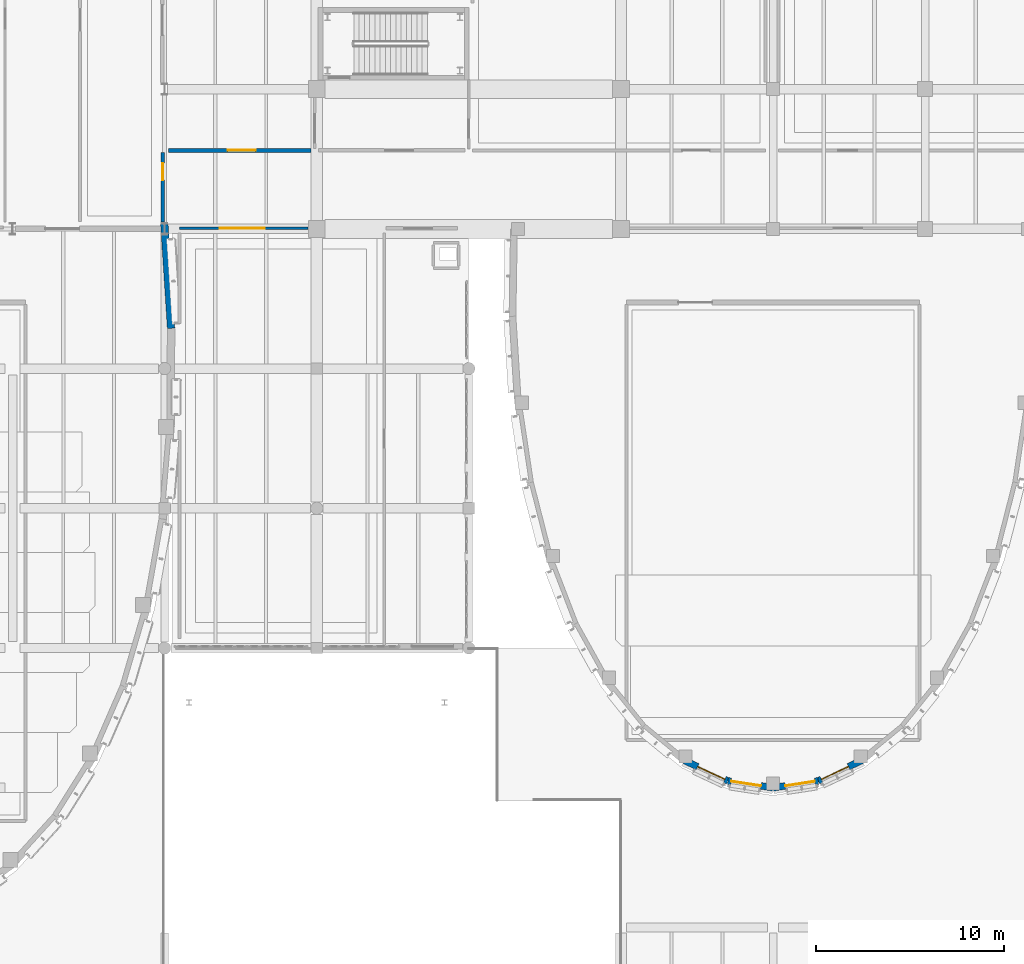
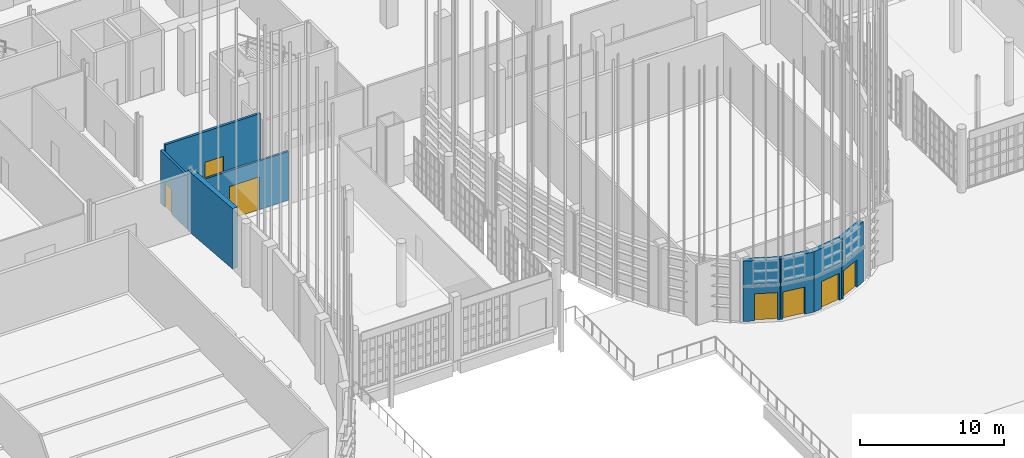
# One storey, part 349 of 372: 8 walls, 7 doors, 7 openings.
"""IFC4 building model written with IfcOpenShell, lengths in metres."""

from ifc_helpers import new_model, si_unit, direction, frame, frame_2d, origin, place, context, subcontext, project, spatial, rectangle, extrude, material, layer, layer_set, type_object, element, fill, save


model = new_model("IFC4")

# Units and contexts
model_context = context("Model", 3, precision=1e-05, world=origin(), true_north=direction((0.0, 1.0)))
body_context = subcontext(model_context, "Body", "Model", "MODEL_VIEW")
ifc_project = project(units=[si_unit("LENGTHUNIT", "METRE"), si_unit("AREAUNIT", "SQUARE_METRE"), si_unit("VOLUMEUNIT", "CUBIC_METRE"), si_unit("PLANEANGLEUNIT", "RADIAN"), si_unit("MASSUNIT", "GRAM", prefix="KILO")], contexts=[model_context])

# Site, building, storey
site_placement = place(None, origin())
site = spatial("IfcSite", under=ifc_project, at=site_placement, CompositionType="ELEMENT")
building_placement = place(site_placement, origin())
building = spatial("IfcBuilding", under=site, at=building_placement, Name="Kaelora Sail Theatre", CompositionType="ELEMENT")
storey_placement = place(building_placement, origin())
storey = spatial("IfcBuildingStorey", under=building, at=storey_placement, Name="L00", CompositionType="ELEMENT", Elevation=0.0)

# Wall, opening, door
ifc_material_1 = material(Name="Concrete C45/55", Category="concrete")
ifc_layer_1 = layer(ifc_material_1, 0.360107421875)
ifc_layer_set_1 = layer_set([ifc_layer_1], Name="Concrete C45/55")
wall_type_1 = type_object("IfcWallType", Name="ARC-WL-DW-360", PredefinedType="SHEAR", material=ifc_layer_set_1)
wall_1_placement = place(storey_placement, frame((95.334716796875, 32.716552734375, 0.0), z_axis=(0.0, 0.0, 1.0), x_axis=(-0.905675487445, -0.423971592728, 0.0)))
wall_1 = element("IfcWall", 1, at=wall_1_placement, inside=storey, type_object=wall_type_1, Name="Studio Theatre Sail Drum curved drum acoustic wall L00 chord 9", PredefinedType="SHEAR", context=body_context, shape_type="SweptSolid", body=[
    extrude(rectangle(XDim=2.571044921875, YDim=0.360107421875, at=frame_2d((1.28564453125, 0.0))), origin(), (0.0, 0.0, 1.0), 5.10498046875),
])
opening_1_placement = place(wall_1_placement, frame((0.791015625, 0.0, 0.0)))
opening_1 = element("IfcOpeningElement", 2, at=opening_1_placement, cuts=wall_1, Name="Opening ED-05", PredefinedType="OPENING", context=body_context, shape_type="SweptSolid", body=[
    extrude(rectangle(XDim=1.60009765625, YDim=2.300048828125, at=frame_2d((0.800048828125, 1.14990234375))), frame((0.0, 0.190176, 0.0), z_axis=(0.0, -1.0, 0.0), x_axis=(1.0, 0.0, 0.0)), (0.0, 0.0, 1.0), 0.380107),
])
ifc_material_2 = material(Name="Terrace glazed double swing door", Category="aluminium")
door_type_1 = type_object("IfcDoorType", Name="ARC-DR-ED-05", OperationType="NOTDEFINED", PredefinedType="DOOR", material=ifc_material_2)
door_1_placement = place(opening_1_placement, origin())
door_1 = element("IfcDoor", 3, at=door_1_placement, inside=storey, type_object=door_type_1, Name="Studio Theatre Sail Drum plaza final exit door C9", OperationType="DOUBLE_DOOR_SINGLE_SWING", OverallHeight=2.300048828125, OverallWidth=1.60009765625, PredefinedType="DOOR", context=body_context, shape_type="SweptSolid", body=[
    extrude(rectangle(XDim=1.60009765625, YDim=2.300048828125, at=frame_2d((0.800048828125, 1.14990234375))), frame((0.0, 0.02490234375, 0.0), z_axis=(0.0, -1.0, 0.0), x_axis=(1.0, 0.0, 0.0)), (0.0, 0.0, 1.0), 0.050048828125),
])
fill(opening_1, door_1)

wall_2_placement = place(storey_placement, frame((93.006103515625, 31.62646484375, 0.0), z_axis=(0.0, 0.0, 1.0), x_axis=(-0.988599043905, -0.150572010645, 0.0)))
wall_2 = element("IfcWall", 4, at=wall_2_placement, inside=storey, type_object=wall_type_1, Name="Studio Theatre Sail Drum curved drum acoustic wall L00 chord 10", PredefinedType="SHEAR", context=body_context, shape_type="SweptSolid", body=[
    extrude(rectangle(XDim=2.433837890625, YDim=0.360107421875, at=frame_2d((1.216796875, 0.0))), origin(), (0.0, 0.0, 1.0), 5.10498046875),
])
opening_2_placement = place(wall_2_placement, frame((0.179931640625, 0.0, 0.0)))
opening_2 = element("IfcOpeningElement", 5, at=opening_2_placement, cuts=wall_2, Name="Opening ED-05", PredefinedType="OPENING", context=body_context, shape_type="SweptSolid", body=[
    extrude(rectangle(XDim=1.60009765625, YDim=2.300048828125, at=frame_2d((0.800048828125, 1.14990234375))), frame((0.0, 0.190176, 0.0), z_axis=(0.0, -1.0, 0.0), x_axis=(1.0, 0.0, 0.0)), (0.0, 0.0, 1.0), 0.380107),
])
door_2_placement = place(opening_2_placement, origin())
door_2 = element("IfcDoor", 6, at=door_2_placement, inside=storey, type_object=door_type_1, Name="Studio Theatre Sail Drum plaza final exit door C10", OperationType="DOUBLE_DOOR_SINGLE_SWING", OverallHeight=2.300048828125, OverallWidth=1.60009765625, PredefinedType="DOOR", context=body_context, shape_type="SweptSolid", body=[
    extrude(rectangle(XDim=1.60009765625, YDim=2.300048828125, at=frame_2d((0.800048828125, 1.14990234375))), frame((0.0, 0.02490234375, 0.0), z_axis=(0.0, -1.0, 0.0), x_axis=(1.0, 0.0, 0.0)), (0.0, 0.0, 1.0), 0.050048828125),
])
fill(opening_2, door_2)

wall_3_placement = place(storey_placement, frame((90.60009765625, 31.260009765625, 0.0), z_axis=(0.0, 0.0, 1.0), x_axis=(-0.988599043905, 0.150572010645, 0.0)))
wall_3 = element("IfcWall", 7, at=wall_3_placement, inside=storey, type_object=wall_type_1, Name="Studio Theatre Sail Drum curved drum acoustic wall L00 chord 11", PredefinedType="SHEAR", context=body_context, shape_type="SweptSolid", body=[
    extrude(rectangle(XDim=2.433837890625, YDim=0.360107421875, at=frame_2d((1.216796875, 0.0))), origin(), (0.0, 0.0, 1.0), 5.10498046875),
])
opening_3_placement = place(wall_3_placement, frame((0.654052734375, 0.0, 0.0)))
opening_3 = element("IfcOpeningElement", 8, at=opening_3_placement, cuts=wall_3, Name="Opening ED-05", PredefinedType="OPENING", context=body_context, shape_type="SweptSolid", body=[
    extrude(rectangle(XDim=1.60009765625, YDim=2.300048828125, at=frame_2d((0.800048828125, 1.14990234375))), frame((0.0, 0.190176, 0.0), z_axis=(0.0, -1.0, 0.0), x_axis=(1.0, 0.0, 0.0)), (0.0, 0.0, 1.0), 0.380107),
])
door_3_placement = place(opening_3_placement, origin())
door_3 = element("IfcDoor", 9, at=door_3_placement, inside=storey, type_object=door_type_1, Name="Studio Theatre Sail Drum plaza final exit door C11", OperationType="DOUBLE_DOOR_SINGLE_SWING", OverallHeight=2.300048828125, OverallWidth=1.60009765625, PredefinedType="DOOR", context=body_context, shape_type="SweptSolid", body=[
    extrude(rectangle(XDim=1.60009765625, YDim=2.300048828125, at=frame_2d((0.800048828125, 1.14990234375))), frame((0.0, 0.02490234375, 0.0), z_axis=(0.0, -1.0, 0.0), x_axis=(1.0, 0.0, 0.0)), (0.0, 0.0, 1.0), 0.050048828125),
])
fill(opening_3, door_3)

wall_4_placement = place(storey_placement, frame((88.194091796875, 31.62646484375, 0.0), z_axis=(0.0, 0.0, 1.0), x_axis=(-0.905692553487, 0.423935134848, 0.0)))
wall_4 = element("IfcWall", 10, at=wall_4_placement, inside=storey, type_object=wall_type_1, Name="Studio Theatre Sail Drum curved drum acoustic wall L00 chord 12", PredefinedType="SHEAR", context=body_context, shape_type="SweptSolid", body=[
    extrude(rectangle(XDim=2.5712890625, YDim=0.360107421875, at=frame_2d((1.28564453125, 0.0))), origin(), (0.0, 0.0, 1.0), 5.10498046875),
])
opening_4_placement = place(wall_4_placement, frame((0.179931640625, 0.0, 0.0)))
opening_4 = element("IfcOpeningElement", 11, at=opening_4_placement, cuts=wall_4, Name="Opening ED-05", PredefinedType="OPENING", context=body_context, shape_type="SweptSolid", body=[
    extrude(rectangle(XDim=1.60009765625, YDim=2.300048828125, at=frame_2d((0.800048828125, 1.14990234375))), frame((0.0, 0.190176, 0.0), z_axis=(0.0, -1.0, 0.0), x_axis=(1.0, 0.0, 0.0)), (0.0, 0.0, 1.0), 0.380107),
])
door_4_placement = place(opening_4_placement, origin())
door_4 = element("IfcDoor", 12, at=door_4_placement, inside=storey, type_object=door_type_1, Name="Studio Theatre Sail Drum plaza final exit door C12", OperationType="DOUBLE_DOOR_SINGLE_SWING", OverallHeight=2.300048828125, OverallWidth=1.60009765625, PredefinedType="DOOR", context=body_context, shape_type="SweptSolid", body=[
    extrude(rectangle(XDim=1.60009765625, YDim=2.300048828125, at=frame_2d((0.800048828125, 1.14990234375))), frame((0.0, 0.02490234375, 0.0), z_axis=(0.0, -1.0, 0.0), x_axis=(1.0, 0.0, 0.0)), (0.0, 0.0, 1.0), 0.050048828125),
])
fill(opening_4, door_4)

# Wall
ifc_material_3 = material(Name="Concrete C50/60", Category="concrete")
ifc_layer_2 = layer(ifc_material_3, 0.39990234375)
ifc_layer_set_2 = layer_set([ifc_layer_2], Name="Concrete C50/60")
wall_type_2 = type_object("IfcWallType", Name="ARC-WL-DW-400", PredefinedType="SHEAR", material=ifc_layer_set_2)
wall_5_placement = place(storey_placement, frame((58.181884765625, 61.29931640625, 0.0), z_axis=(0.0, 0.0, 1.0), x_axis=(0.064519893008, -0.997916421053, 0.0)))
element("IfcWall", 13, at=wall_5_placement, inside=storey, type_object=wall_type_2, Name="Main Theatre Sail Drum curved drum acoustic wall L00 chord 1", PredefinedType="SHEAR", context=body_context, shape_type="SweptSolid", body=[
    extrude(rectangle(XDim=5.585205078125, YDim=0.39990234375, at=frame_2d((2.79248046875, 0.0))), origin(), (0.0, 0.0, 1.0), 5.10498046875),
])

# Wall, opening, door
ifc_material_4 = material(Name="Demountable acoustic studio wall 150 mm", Category="timber")
ifc_layer_3 = layer(ifc_material_4, 0.14990234375)
ifc_layer_set_3 = layer_set([ifc_layer_3], Name="Demountable acoustic studio wall 150 mm")
wall_type_3 = type_object("IfcWallType", Name="ARC-WL-MV-150", PredefinedType="MOVABLE", material=ifc_layer_set_3)
wall_6_placement = place(storey_placement, frame((59.0, 61.050048828125, 0.0), z_axis=(0.0, 0.0, 1.0), x_axis=(1.0, 0.0, 0.0)))
wall_6 = element("IfcWall", 14, at=wall_6_placement, inside=storey, type_object=wall_type_3, Name="Interior acoustic partition L00-FOY-INTER1/L00-COR-FOYC", PredefinedType="MOVABLE", context=body_context, shape_type="SweptSolid", body=[
    extrude(rectangle(XDim=6.844970703125, YDim=0.14990234375, at=frame_2d((3.42236328125, 0.0))), origin(), (0.0, 0.0, 1.0), 4.136962890625),
])
opening_5_placement = place(wall_6_placement, frame((2.1259765625, 0.0, 0.0)))
opening_5 = element("IfcOpeningElement", 15, at=opening_5_placement, cuts=wall_6, Name="Opening ID-05", PredefinedType="OPENING", context=body_context, shape_type="SweptSolid", body=[
    extrude(rectangle(XDim=2.39990234375, YDim=2.800048828125, at=frame_2d((1.199951171875, 1.39990234375))), frame((0.0, 0.084951, 0.0), z_axis=(0.0, -1.0, 0.0), x_axis=(1.0, 0.0, 0.0)), (0.0, 0.0, 1.0), 0.169902),
])
ifc_material_5 = material(Name="Scenery workshop oversize acoustic double door", Category="steel")
door_type_2 = type_object("IfcDoorType", Name="ARC-DR-ID-05", OperationType="NOTDEFINED", PredefinedType="DOOR", material=ifc_material_5)
door_5_placement = place(opening_5_placement, origin())
door_5 = element("IfcDoor", 16, at=door_5_placement, inside=storey, type_object=door_type_2, Name="Interior door L00-FOY-INTER1 to L00-COR-FOYC", OperationType="DOUBLE_DOOR_SINGLE_SWING", OverallHeight=2.800048828125, OverallWidth=2.39990234375, PredefinedType="DOOR", context=body_context, shape_type="SweptSolid", body=[
    extrude(rectangle(XDim=2.39990234375, YDim=2.800048828125, at=frame_2d((1.199951171875, 1.39990234375))), frame((0.0, 0.02490234375, 0.0), z_axis=(0.0, -1.0, 0.0), x_axis=(1.0, 0.0, 0.0)), (0.0, 0.0, 1.0), 0.050048828125),
])
fill(opening_5, door_5)

ifc_material_6 = material(Name="Acoustic double-stud plasterboard 200 mm", Category="gypsum")
ifc_layer_4 = layer(ifc_material_6, 0.199951171875)
ifc_layer_set_4 = layer_set([ifc_layer_4], Name="Acoustic double-stud plasterboard 200 mm")
wall_type_4 = type_object("IfcWallType", Name="ARC-WL-PT-200", PredefinedType="PARTITIONING", material=ifc_layer_set_4)
wall_7_placement = place(storey_placement, frame((58.10009765625, 61.39990234375, 0.0), z_axis=(0.0, 0.0, 1.0), x_axis=(0.0, 1.0, 0.0)))
wall_7 = element("IfcWall", 17, at=wall_7_placement, inside=storey, type_object=wall_type_4, Name="Interior acoustic partition L00-STAGE-SIDE/L00-COR-FOYC", PredefinedType="PARTITIONING", context=body_context, shape_type="SweptSolid", body=[
    extrude(rectangle(XDim=3.7001953125, YDim=0.199951171875, at=frame_2d((1.85009765625, 0.0))), origin(), (0.0, 0.0, 1.0), 4.487060546875),
])
opening_6_placement = place(wall_7_placement, frame((2.219970703125, 0.0, 0.0)))
opening_6 = element("IfcOpeningElement", 18, at=opening_6_placement, cuts=wall_7, Name="Opening ID-03", PredefinedType="OPENING", context=body_context, shape_type="SweptSolid", body=[
    extrude(rectangle(XDim=0.89990234375, YDim=2.10009765625, at=frame_2d((0.449951171875, 1.050048828125))), frame((0.0, 0.110098, 0.0), z_axis=(0.0, -1.0, 0.0), x_axis=(1.0, 0.0, 0.0)), (0.0, 0.0, 1.0), 0.219951),
])
ifc_material_7 = material(Name="Accessible sanitary laminate door", Category="timber")
door_type_3 = type_object("IfcDoorType", Name="ARC-DR-ID-03", OperationType="NOTDEFINED", PredefinedType="DOOR", material=ifc_material_7)
door_6_placement = place(opening_6_placement, origin())
door_6 = element("IfcDoor", 19, at=door_6_placement, inside=storey, type_object=door_type_3, Name="Interior door L00-STAGE-SIDE to L00-COR-FOYC", OperationType="SINGLE_SWING_LEFT", OverallHeight=2.10009765625, OverallWidth=0.89990234375, PredefinedType="DOOR", context=body_context, shape_type="SweptSolid", body=[
    extrude(rectangle(XDim=0.89990234375, YDim=2.10009765625, at=frame_2d((0.449951171875, 1.050048828125))), frame((0.0, 0.02490234375, 0.0), z_axis=(0.0, -1.0, 0.0), x_axis=(1.0, 0.0, 0.0)), (0.0, 0.0, 1.0), 0.050048828125),
])
fill(opening_6, door_6)

wall_8_placement = place(storey_placement, frame((58.39990234375, 65.199951171875, 0.0), z_axis=(0.0, 0.0, 1.0), x_axis=(1.0, 0.0, 0.0)))
wall_8 = element("IfcWall", 20, at=wall_8_placement, inside=storey, type_object=wall_type_4, Name="Interior acoustic partition L00-COR-FOYC/L00-COR-LINK", PredefinedType="PARTITIONING", context=body_context, shape_type="SweptSolid", body=[
    extrude(rectangle(XDim=7.60009765625, YDim=0.199951171875, at=frame_2d((3.800048828125, 0.0))), origin(), (0.0, 0.0, 1.0), 4.787109375),
])
opening_7_placement = place(wall_8_placement, frame((3.14892578125, 0.0, 0.0)))
opening_7 = element("IfcOpeningElement", 21, at=opening_7_placement, cuts=wall_8, Name="Opening FD-01", PredefinedType="OPENING", context=body_context, shape_type="SweptSolid", body=[
    extrude(rectangle(XDim=1.5, YDim=2.199951171875, at=frame_2d((0.75, 1.10009765625))), frame((0.0, 0.110098, 0.0), z_axis=(0.0, -1.0, 0.0), x_axis=(1.0, 0.0, 0.0)), (0.0, 0.0, 1.0), 0.219951),
])
ifc_material_8 = material(Name="Acoustic steel double fire door EI 90-C", Category="steel")
door_type_4 = type_object("IfcDoorType", Name="ARC-DR-FD-01", OperationType="NOTDEFINED", PredefinedType="DOOR", material=ifc_material_8)
door_7_placement = place(opening_7_placement, origin())
door_7 = element("IfcDoor", 22, at=door_7_placement, inside=storey, type_object=door_type_4, Name="Interior door L00-COR-FOYC to L00-COR-LINK", OperationType="DOUBLE_DOOR_SINGLE_SWING", OverallHeight=2.199951171875, OverallWidth=1.5, PredefinedType="DOOR", context=body_context, shape_type="SweptSolid", body=[
    extrude(rectangle(XDim=1.5, YDim=2.199951171875, at=frame_2d((0.75, 1.10009765625))), frame((0.0, 0.02490234375, 0.0), z_axis=(0.0, -1.0, 0.0), x_axis=(1.0, 0.0, 0.0)), (0.0, 0.0, 1.0), 0.050048828125),
])
fill(opening_7, door_7)

save(model, "model.ifc")
